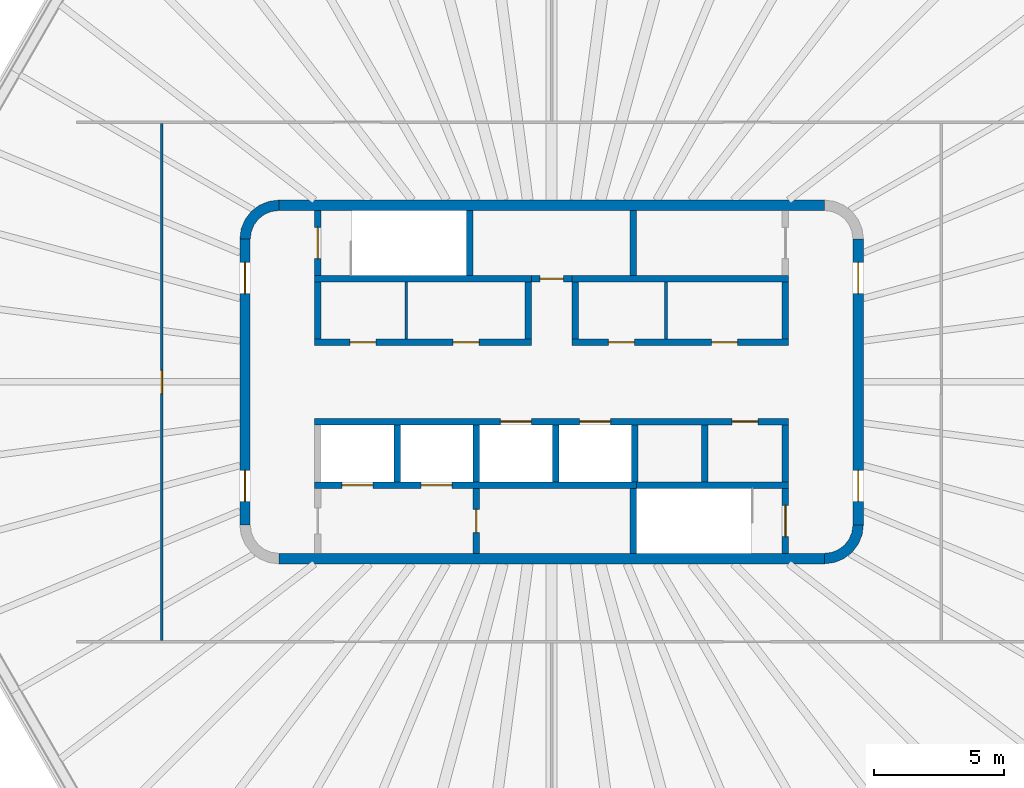
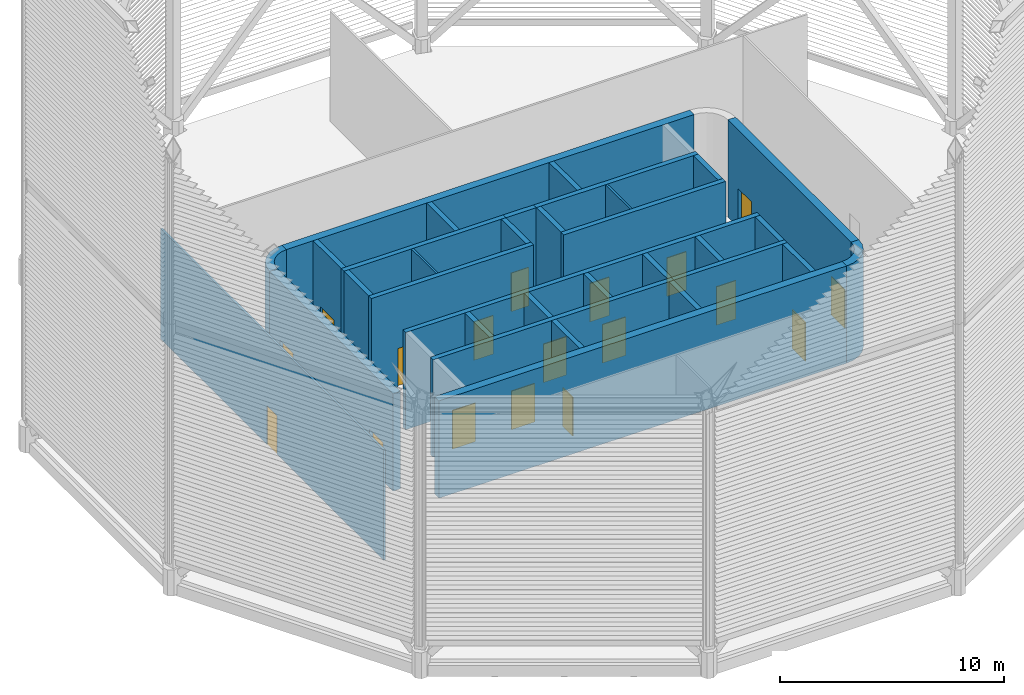
# One storey, part 5 of 18: 33 walls, 18 doors, 18 openings.
"""IFC4 building model written with IfcOpenShell, lengths in metres."""

from ifc_helpers import new_model, si_unit, direction, frame, frame_2d, origin, place, context, subcontext, project, spatial, polyline, rectangle, outline, extrude, material, layer, layer_set, type_object, element, fill, save


model = new_model("IFC4")

# Units and contexts
model_context = context("Model", 3, precision=1e-05, world=origin(), true_north=direction((0.0, 1.0)))
body_context = subcontext(model_context, "Body", "Model", "MODEL_VIEW")
ifc_project = project(units=[si_unit("LENGTHUNIT", "METRE"), si_unit("AREAUNIT", "SQUARE_METRE"), si_unit("VOLUMEUNIT", "CUBIC_METRE"), si_unit("PLANEANGLEUNIT", "RADIAN"), si_unit("MASSUNIT", "GRAM", prefix="KILO")], contexts=[model_context])

# Site, building, storey
site_placement = place(None, origin())
site = spatial("IfcSite", under=ifc_project, at=site_placement, CompositionType="ELEMENT")
building_placement = place(site_placement, origin())
building = spatial("IfcBuilding", under=site, at=building_placement, Name="Sahrelin Media Tower", CompositionType="ELEMENT")
storey_placement = place(building_placement, frame((0.0, 0.0, 335.800048828125)))
storey = spatial("IfcBuildingStorey", under=building, at=storey_placement, Name="Crown", CompositionType="ELEMENT", Elevation=335.800048828125)

# Walls
ifc_material_1 = material(Name="Concrete C60/75", Category="concrete")
ifc_layer_1 = layer(ifc_material_1, 0.39990234375)
ifc_layer_set_1 = layer_set([ifc_layer_1], Name="Core wall 400")
wall_type_1 = type_object("IfcWallType", Name="Core wall 400", PredefinedType="SHEAR", material=ifc_layer_set_1)
for number, where, z_axis, x_axis, name in (
    (1, (-10.5, 6.800048828125, 0.0), (0.0, 0.0, 1.0), (1.0, 0.0, 0.0), "Core wall N Crown"),
    (2, (-10.5, -6.800048828125, 0.0), (0.0, 0.0, 1.0), (1.0, 0.0, 0.0), "Core wall S Crown"),
):
    element("IfcWall", number, at=place(storey_placement, frame(where, z_axis=z_axis, x_axis=x_axis)), inside=storey, type_object=wall_type_1, Name=name, PredefinedType="SHEAR", context=body_context, shape_type="SweptSolid", body=[
        extrude(rectangle(XDim=21.0, YDim=0.39990234375, at=frame_2d((10.5, 0.0))), origin(), (0.0, 0.0, 1.0), 5.300048828125),
    ])

# Wall, openings, doors
wall_1_placement = place(storey_placement, frame((11.800048828125, -5.5, 0.0), z_axis=(0.0, 0.0, 1.0), x_axis=(0.0, 1.0, 0.0)))
wall_1 = element("IfcWall", 3, at=wall_1_placement, inside=storey, type_object=wall_type_1, Name="Core wall E Crown", PredefinedType="SHEAR", context=body_context, shape_type="SweptSolid", body=[
    extrude(rectangle(XDim=11.0, YDim=0.39990234375, at=frame_2d((5.5, 0.0))), origin(), (0.0, 0.0, 1.0), 5.300048828125),
])
opening_1_placement = place(wall_1_placement, frame((0.89990234375, 0.0, 0.0)))
opening_1 = element("IfcOpeningElement", 4, at=opening_1_placement, cuts=wall_1, Name="Opening Crown-D14", PredefinedType="OPENING", context=body_context, shape_type="SweptSolid", body=[
    extrude(rectangle(XDim=1.199951171875, YDim=2.10009765625, at=frame_2d((0.60009765625, 1.050048828125))), frame((0.0, 0.199951171875, 0.0), z_axis=(0.0, -1.0, 0.0), x_axis=(1.0, 0.0, 0.0)), (0.0, 0.0, 1.0), 0.39990234375),
])
opening_2_placement = place(wall_1_placement, frame((8.89990234375, 0.0, 0.0)))
opening_2 = element("IfcOpeningElement", 5, at=opening_2_placement, cuts=wall_1, Name="Opening Crown-D15", PredefinedType="OPENING", context=body_context, shape_type="SweptSolid", body=[
    extrude(rectangle(XDim=1.199951171875, YDim=2.10009765625, at=frame_2d((0.60009765625, 1.050048828125))), frame((0.0, 0.199951171875, 0.0), z_axis=(0.0, -1.0, 0.0), x_axis=(1.0, 0.0, 0.0)), (0.0, 0.0, 1.0), 0.39990234375),
])
ifc_material_2 = material(Name="Steel fire door leaf", Category="steel")
door_type_1 = type_object("IfcDoorType", Name="Lobby door 1200 x 2100 EI 60", OperationType="NOTDEFINED", PredefinedType="DOOR", material=ifc_material_2)
door_1_placement = place(opening_1_placement, origin())
door_1 = element("IfcDoor", 6, at=door_1_placement, inside=storey, type_object=door_type_1, Name="Lobby door", OperationType="SINGLE_SWING_LEFT", OverallHeight=2.10009765625, OverallWidth=1.199951171875, PredefinedType="DOOR", context=body_context, shape_type="SweptSolid", body=[
    extrude(rectangle(XDim=1.199951171875, YDim=2.10009765625, at=frame_2d((0.60009765625, 1.050048828125))), frame((0.0, 0.02490234375, 0.0), z_axis=(0.0, -1.0, 0.0), x_axis=(1.0, 0.0, 0.0)), (0.0, 0.0, 1.0), 0.050048828125),
])
fill(opening_1, door_1)
door_2_placement = place(opening_2_placement, origin())
door_2 = element("IfcDoor", 7, at=door_2_placement, inside=storey, type_object=door_type_1, Name="Lobby door", OperationType="SINGLE_SWING_LEFT", OverallHeight=2.10009765625, OverallWidth=1.199951171875, PredefinedType="DOOR", context=body_context, shape_type="SweptSolid", body=[
    extrude(rectangle(XDim=1.199951171875, YDim=2.10009765625, at=frame_2d((0.60009765625, 1.050048828125))), frame((0.0, 0.02490234375, 0.0), z_axis=(0.0, -1.0, 0.0), x_axis=(1.0, 0.0, 0.0)), (0.0, 0.0, 1.0), 0.050048828125),
])
fill(opening_2, door_2)

wall_2_placement = place(storey_placement, frame((-11.800048828125, -5.5, 0.0), z_axis=(0.0, 0.0, 1.0), x_axis=(0.0, 1.0, 0.0)))
wall_2 = element("IfcWall", 8, at=wall_2_placement, inside=storey, type_object=wall_type_1, Name="Core wall W Crown", PredefinedType="SHEAR", context=body_context, shape_type="SweptSolid", body=[
    extrude(rectangle(XDim=11.0, YDim=0.39990234375, at=frame_2d((5.5, 0.0))), origin(), (0.0, 0.0, 1.0), 5.300048828125),
])
opening_3_placement = place(wall_2_placement, frame((0.89990234375, 0.0, 0.0)))
opening_3 = element("IfcOpeningElement", 9, at=opening_3_placement, cuts=wall_2, Name="Opening Crown-D12", PredefinedType="OPENING", context=body_context, shape_type="SweptSolid", body=[
    extrude(rectangle(XDim=1.199951171875, YDim=2.10009765625, at=frame_2d((0.60009765625, 1.050048828125))), frame((0.0, 0.199951171875, 0.0), z_axis=(0.0, -1.0, 0.0), x_axis=(1.0, 0.0, 0.0)), (0.0, 0.0, 1.0), 0.39990234375),
])
opening_4_placement = place(wall_2_placement, frame((8.89990234375, 0.0, 0.0)))
opening_4 = element("IfcOpeningElement", 10, at=opening_4_placement, cuts=wall_2, Name="Opening Crown-D13", PredefinedType="OPENING", context=body_context, shape_type="SweptSolid", body=[
    extrude(rectangle(XDim=1.199951171875, YDim=2.10009765625, at=frame_2d((0.60009765625, 1.050048828125))), frame((0.0, 0.199951171875, 0.0), z_axis=(0.0, -1.0, 0.0), x_axis=(1.0, 0.0, 0.0)), (0.0, 0.0, 1.0), 0.39990234375),
])
door_3_placement = place(opening_3_placement, origin())
door_3 = element("IfcDoor", 11, at=door_3_placement, inside=storey, type_object=door_type_1, Name="Lobby door", OperationType="SINGLE_SWING_LEFT", OverallHeight=2.10009765625, OverallWidth=1.199951171875, PredefinedType="DOOR", context=body_context, shape_type="SweptSolid", body=[
    extrude(rectangle(XDim=1.199951171875, YDim=2.10009765625, at=frame_2d((0.60009765625, 1.050048828125))), frame((0.0, 0.02490234375, 0.0), z_axis=(0.0, -1.0, 0.0), x_axis=(1.0, 0.0, 0.0)), (0.0, 0.0, 1.0), 0.050048828125),
])
fill(opening_3, door_3)
door_4_placement = place(opening_4_placement, origin())
door_4 = element("IfcDoor", 12, at=door_4_placement, inside=storey, type_object=door_type_1, Name="Lobby door", OperationType="SINGLE_SWING_LEFT", OverallHeight=2.10009765625, OverallWidth=1.199951171875, PredefinedType="DOOR", context=body_context, shape_type="SweptSolid", body=[
    extrude(rectangle(XDim=1.199951171875, YDim=2.10009765625, at=frame_2d((0.60009765625, 1.050048828125))), frame((0.0, 0.02490234375, 0.0), z_axis=(0.0, -1.0, 0.0), x_axis=(1.0, 0.0, 0.0)), (0.0, 0.0, 1.0), 0.050048828125),
])
fill(opening_4, door_4)

# Walls
placement = place(storey_placement, origin())
element("IfcWall", 13, at=placement, inside=storey, type_object=wall_type_1, Name="Core wall corner NW Crown", PredefinedType="SHEAR", context=body_context, shape_type="SweptSolid", body=[
    extrude(outline(polyline([(-12.0, 5.5), (-11.596435546875, 5.5), (-11.55908203125, 5.78369140625), (-11.44970703125, 6.04833984375), (-11.275390625, 6.275390625), (-11.04833984375, 6.44970703125), (-10.78369140625, 6.55908203125), (-10.5, 6.596435546875), (-10.5, 7.0), (-10.88818359375, 6.948974609375), (-11.25, 6.799072265625), (-11.560791015625, 6.560791015625), (-11.799072265625, 6.25), (-11.948974609375, 5.88818359375), (-12.0, 5.5)])), origin(), (0.0, 0.0, 1.0), 5.300048828125),
])
element("IfcWall", 14, at=placement, inside=storey, type_object=wall_type_1, Name="Core wall corner SE Crown", PredefinedType="SHEAR", context=body_context, shape_type="SweptSolid", body=[
    extrude(outline(polyline([(12.0, -5.5), (11.596435546875, -5.5), (11.55908203125, -5.78369140625), (11.44970703125, -6.04833984375), (11.275390625, -6.275390625), (11.04833984375, -6.44970703125), (10.78369140625, -6.55908203125), (10.5, -6.596435546875), (10.5, -7.0), (10.88818359375, -6.948974609375), (11.25, -6.799072265625), (11.560791015625, -6.560791015625), (11.799072265625, -6.25), (11.948974609375, -5.88818359375), (12.0, -5.5)])), origin(), (0.0, 0.0, 1.0), 5.300048828125),
])

# Wall, opening, door
ifc_material_3 = material(Name="Fire-rated gypsum board partition")
ifc_layer_2 = layer(ifc_material_3, 0.25)
ifc_layer_set_2 = layer_set([ifc_layer_2], Name="Fire-rated lobby wall 250")
wall_type_2 = type_object("IfcWallType", Name="Fire-rated lobby wall 250", PredefinedType="PARTITIONING", material=ifc_layer_set_2)
wall_5_placement = place(storey_placement, frame((-0.77490234375, 3.97509765625, 0.0), z_axis=(0.0, 0.0, 1.0), x_axis=(1.0, 0.0, 0.0)))
wall_5 = element("IfcWall", 15, at=wall_5_placement, inside=storey, type_object=wall_type_2, Name="Core lobby wall", PredefinedType="PARTITIONING", context=body_context, shape_type="SweptSolid", body=[
    extrude(rectangle(XDim=1.5498046875, YDim=0.25, at=frame_2d((0.77490234375, 0.0))), origin(), (0.0, 0.0, 1.0), 5.300048828125),
])
opening_5_placement = place(wall_5_placement, frame((0.324951171875, 0.0, 0.0)))
opening_5 = element("IfcOpeningElement", 16, at=opening_5_placement, cuts=wall_5, Name="Opening Crown-D06", PredefinedType="OPENING", context=body_context, shape_type="SweptSolid", body=[
    extrude(rectangle(XDim=0.89990234375, YDim=2.10009765625, at=frame_2d((0.449951171875, 1.050048828125))), frame((0.0, 0.125, 0.0), z_axis=(0.0, -1.0, 0.0), x_axis=(1.0, 0.0, 0.0)), (0.0, 0.0, 1.0), 0.25),
])
door_type_2 = type_object("IfcDoorType", Name="Riser door 900 x 2100 EI 120", OperationType="NOTDEFINED", PredefinedType="DOOR", material=ifc_material_2)
door_5_placement = place(opening_5_placement, origin())
door_5 = element("IfcDoor", 17, at=door_5_placement, inside=storey, type_object=door_type_2, Name="Core room door", OperationType="SINGLE_SWING_LEFT", OverallHeight=2.10009765625, OverallWidth=0.89990234375, PredefinedType="DOOR", context=body_context, shape_type="SweptSolid", body=[
    extrude(rectangle(XDim=0.89990234375, YDim=2.10009765625, at=frame_2d((0.449951171875, 1.050048828125))), frame((0.0, 0.02490234375, 0.0), z_axis=(0.0, -1.0, 0.0), x_axis=(1.0, 0.0, 0.0)), (0.0, 0.0, 1.0), 0.050048828125),
])
fill(opening_5, door_5)

# Wall, openings, doors
wall_6_placement = place(storey_placement, frame((-9.125, 1.52490234375, 0.0), z_axis=(0.0, 0.0, 1.0), x_axis=(1.0, 0.0, 0.0)))
wall_6 = element("IfcWall", 18, at=wall_6_placement, inside=storey, type_object=wall_type_2, Name="Core lobby wall", PredefinedType="PARTITIONING", context=body_context, shape_type="SweptSolid", body=[
    extrude(rectangle(XDim=8.35009765625, YDim=0.25, at=frame_2d((4.175048828125, 0.0))), origin(), (0.0, 0.0, 1.0), 5.300048828125),
])
opening_6_placement = place(wall_6_placement, frame((1.362548828125, 0.0, 0.0)))
opening_6 = element("IfcOpeningElement", 19, at=opening_6_placement, cuts=wall_6, Name="Opening Crown-D07", PredefinedType="OPENING", context=body_context, shape_type="SweptSolid", body=[
    extrude(rectangle(XDim=1.0, YDim=2.10009765625, at=frame_2d((0.5, 1.050048828125))), frame((0.0, 0.125, 0.0), z_axis=(0.0, -1.0, 0.0), x_axis=(1.0, 0.0, 0.0)), (0.0, 0.0, 1.0), 0.25),
])
opening_7_placement = place(wall_6_placement, frame((5.33740234375, 0.0, 0.0)))
opening_7 = element("IfcOpeningElement", 20, at=opening_7_placement, cuts=wall_6, Name="Opening Crown-D08", PredefinedType="OPENING", context=body_context, shape_type="SweptSolid", body=[
    extrude(rectangle(XDim=1.0, YDim=2.10009765625, at=frame_2d((0.5, 1.050048828125))), frame((0.0, 0.125, 0.0), z_axis=(0.0, -1.0, 0.0), x_axis=(1.0, 0.0, 0.0)), (0.0, 0.0, 1.0), 0.25),
])
door_type_3 = type_object("IfcDoorType", Name="Fire door 1000 x 2100 EI 60", OperationType="NOTDEFINED", PredefinedType="DOOR", material=ifc_material_2)
door_6_placement = place(opening_6_placement, origin())
door_6 = element("IfcDoor", 21, at=door_6_placement, inside=storey, type_object=door_type_3, Name="Core room door", OperationType="SINGLE_SWING_LEFT", OverallHeight=2.10009765625, OverallWidth=1.0, PredefinedType="DOOR", context=body_context, shape_type="SweptSolid", body=[
    extrude(rectangle(XDim=1.0, YDim=2.10009765625, at=frame_2d((0.5, 1.050048828125))), frame((0.0, 0.02490234375, 0.0), z_axis=(0.0, -1.0, 0.0), x_axis=(1.0, 0.0, 0.0)), (0.0, 0.0, 1.0), 0.050048828125),
])
fill(opening_6, door_6)
door_7_placement = place(opening_7_placement, origin())
door_7 = element("IfcDoor", 22, at=door_7_placement, inside=storey, type_object=door_type_3, Name="Core room door", OperationType="SINGLE_SWING_LEFT", OverallHeight=2.10009765625, OverallWidth=1.0, PredefinedType="DOOR", context=body_context, shape_type="SweptSolid", body=[
    extrude(rectangle(XDim=1.0, YDim=2.10009765625, at=frame_2d((0.5, 1.050048828125))), frame((0.0, 0.02490234375, 0.0), z_axis=(0.0, -1.0, 0.0), x_axis=(1.0, 0.0, 0.0)), (0.0, 0.0, 1.0), 0.050048828125),
])
fill(opening_7, door_7)

wall_7_placement = place(storey_placement, frame((0.77490234375, 1.52490234375, 0.0), z_axis=(0.0, 0.0, 1.0), x_axis=(1.0, 0.0, 0.0)))
wall_7 = element("IfcWall", 23, at=wall_7_placement, inside=storey, type_object=wall_type_2, Name="Core lobby wall", PredefinedType="PARTITIONING", context=body_context, shape_type="SweptSolid", body=[
    extrude(rectangle(XDim=8.35009765625, YDim=0.25, at=frame_2d((4.175048828125, 0.0))), origin(), (0.0, 0.0, 1.0), 5.300048828125),
])
opening_8_placement = place(wall_7_placement, frame((1.41259765625, 0.0, 0.0)))
opening_8 = element("IfcOpeningElement", 24, at=opening_8_placement, cuts=wall_7, Name="Opening Crown-D09", PredefinedType="OPENING", context=body_context, shape_type="SweptSolid", body=[
    extrude(rectangle(XDim=1.0, YDim=2.10009765625, at=frame_2d((0.5, 1.050048828125))), frame((0.0, 0.125, 0.0), z_axis=(0.0, -1.0, 0.0), x_axis=(1.0, 0.0, 0.0)), (0.0, 0.0, 1.0), 0.25),
])
opening_9_placement = place(wall_7_placement, frame((5.387451171875, 0.0, 0.0)))
opening_9 = element("IfcOpeningElement", 25, at=opening_9_placement, cuts=wall_7, Name="Opening Crown-D10", PredefinedType="OPENING", context=body_context, shape_type="SweptSolid", body=[
    extrude(rectangle(XDim=1.0, YDim=2.10009765625, at=frame_2d((0.5, 1.050048828125))), frame((0.0, 0.125, 0.0), z_axis=(0.0, -1.0, 0.0), x_axis=(1.0, 0.0, 0.0)), (0.0, 0.0, 1.0), 0.25),
])
door_8_placement = place(opening_8_placement, origin())
door_8 = element("IfcDoor", 26, at=door_8_placement, inside=storey, type_object=door_type_3, Name="Core room door", OperationType="SINGLE_SWING_LEFT", OverallHeight=2.10009765625, OverallWidth=1.0, PredefinedType="DOOR", context=body_context, shape_type="SweptSolid", body=[
    extrude(rectangle(XDim=1.0, YDim=2.10009765625, at=frame_2d((0.5, 1.050048828125))), frame((0.0, 0.02490234375, 0.0), z_axis=(0.0, -1.0, 0.0), x_axis=(1.0, 0.0, 0.0)), (0.0, 0.0, 1.0), 0.050048828125),
])
fill(opening_8, door_8)
door_9_placement = place(opening_9_placement, origin())
door_9 = element("IfcDoor", 27, at=door_9_placement, inside=storey, type_object=door_type_3, Name="Core room door", OperationType="SINGLE_SWING_LEFT", OverallHeight=2.10009765625, OverallWidth=1.0, PredefinedType="DOOR", context=body_context, shape_type="SweptSolid", body=[
    extrude(rectangle(XDim=1.0, YDim=2.10009765625, at=frame_2d((0.5, 1.050048828125))), frame((0.0, 0.02490234375, 0.0), z_axis=(0.0, -1.0, 0.0), x_axis=(1.0, 0.0, 0.0)), (0.0, 0.0, 1.0), 0.050048828125),
])
fill(opening_9, door_9)

# Walls
for number, where, z_axis, x_axis, name in (
    (28, (-9.0, 1.64990234375, 0.0), (0.0, 0.0, 1.0), (0.0, 1.0, 0.0), "Core lobby wall"),
    (29, (-0.89990234375, 1.64990234375, 0.0), (0.0, 0.0, 1.0), (0.0, 1.0, 0.0), "Core lobby wall"),
    (30, (9.0, 1.64990234375, 0.0), (0.0, 0.0, 1.0), (0.0, 1.0, 0.0), "Core lobby wall"),
    (31, (0.89990234375, 1.64990234375, 0.0), (0.0, 0.0, 1.0), (0.0, 1.0, 0.0), "Core lobby wall"),
):
    element("IfcWall", number, at=place(storey_placement, frame(where, z_axis=z_axis, x_axis=x_axis)), inside=storey, type_object=wall_type_2, Name=name, PredefinedType="PARTITIONING", context=body_context, shape_type="SweptSolid", body=[
        extrude(rectangle(XDim=2.2001953125, YDim=0.25, at=frame_2d((1.10009765625, 0.0))), origin(), (0.0, 0.0, 1.0), 5.300048828125),
    ])
ifc_layer_3 = layer(ifc_material_3, 0.10009765625)
ifc_layer_set_3 = layer_set([ifc_layer_3], Name="Fire-rated partition 100")
wall_type_3 = type_object("IfcWallType", Name="Fire-rated partition 100", PredefinedType="PARTITIONING", material=ifc_layer_set_3)
for number, where, z_axis, x_axis, name in (
    (32, (-5.60009765625, 1.64990234375, 0.0), (0.0, 0.0, 1.0), (0.0, 1.0, 0.0), "Core room partition"),
    (33, (4.39990234375, 1.64990234375, 0.0), (0.0, 0.0, 1.0), (0.0, 1.0, 0.0), "Core room partition"),
):
    element("IfcWall", number, at=place(storey_placement, frame(where, z_axis=z_axis, x_axis=x_axis)), inside=storey, type_object=wall_type_3, Name=name, PredefinedType="PARTITIONING", context=body_context, shape_type="SweptSolid", body=[
        extrude(rectangle(XDim=2.2001953125, YDim=0.10009765625, at=frame_2d((1.10009765625, 0.0))), origin(), (0.0, 0.0, 1.0), 5.300048828125),
    ])

# Wall, opening, door
ifc_layer_4 = layer(ifc_material_3, 0.25)
ifc_layer_set_4 = layer_set([ifc_layer_4], Name="Firefighting lobby wall 250")
wall_type_4 = type_object("IfcWallType", Name="Firefighting lobby wall 250", PredefinedType="PARTITIONING", material=ifc_layer_set_4)
wall_8_placement = place(storey_placement, frame((-2.89990234375, -6.60009765625, 0.0), z_axis=(0.0, 0.0, 1.0), x_axis=(0.0, 1.0, 0.0)))
wall_8 = element("IfcWall", 34, at=wall_8_placement, inside=storey, type_object=wall_type_4, Name="Core wall", PredefinedType="PARTITIONING", context=body_context, shape_type="SweptSolid", body=[
    extrude(rectangle(XDim=2.5, YDim=0.25, at=frame_2d((1.25, 0.0))), origin(), (0.0, 0.0, 1.0), 5.300048828125),
])
opening_10_placement = place(wall_8_placement, frame((0.800048828125, 0.0, 0.0)))
opening_10 = element("IfcOpeningElement", 35, at=opening_10_placement, cuts=wall_8, Name="Opening Crown-D05", PredefinedType="OPENING", context=body_context, shape_type="SweptSolid", body=[
    extrude(rectangle(XDim=0.89990234375, YDim=2.10009765625, at=frame_2d((0.449951171875, 1.050048828125))), frame((0.0, 0.125, 0.0), z_axis=(0.0, -1.0, 0.0), x_axis=(1.0, 0.0, 0.0)), (0.0, 0.0, 1.0), 0.25),
])
door_type_4 = type_object("IfcDoorType", Name="Firefighting lobby door 900 x 2100 EI 120", OperationType="NOTDEFINED", PredefinedType="DOOR", material=ifc_material_2)
door_10_placement = place(opening_10_placement, origin())
door_10 = element("IfcDoor", 36, at=door_10_placement, inside=storey, type_object=door_type_4, Name="Riser door", OperationType="SINGLE_SWING_RIGHT", OverallHeight=2.10009765625, OverallWidth=0.89990234375, PredefinedType="DOOR", context=body_context, shape_type="SweptSolid", body=[
    extrude(rectangle(XDim=0.89990234375, YDim=2.10009765625, at=frame_2d((0.449951171875, 1.050048828125))), frame((0.0, 0.02490234375, 0.0), z_axis=(0.0, -1.0, 0.0), x_axis=(1.0, 0.0, 0.0)), (0.0, 0.0, 1.0), 0.050048828125),
])
fill(opening_10, door_10)

# Wall, openings, doors
ifc_layer_5 = layer(ifc_material_1, 0.25)
ifc_layer_set_5 = layer_set([ifc_layer_5], Name="Lift shaft wall 250")
wall_type_5 = type_object("IfcWallType", Name="Lift shaft wall 250", PredefinedType="SOLIDWALL", material=ifc_layer_set_5)
wall_9_placement = place(storey_placement, frame((-9.125, -1.52490234375, 0.0), z_axis=(0.0, 0.0, 1.0), x_axis=(1.0, 0.0, 0.0)))
wall_9 = element("IfcWall", 37, at=wall_9_placement, inside=storey, type_object=wall_type_5, Name="Lift shaft wall", PredefinedType="SOLIDWALL", context=body_context, shape_type="SweptSolid", body=[
    extrude(rectangle(XDim=18.25, YDim=0.25, at=frame_2d((9.125, 0.0))), origin(), (0.0, 0.0, 1.0), 5.300048828125),
])
opening_11_placement = place(wall_9_placement, frame((7.14990234375, 0.0, 0.0)))
opening_11 = element("IfcOpeningElement", 38, at=opening_11_placement, cuts=wall_9, Name="Opening Crown-LD-SV1", PredefinedType="OPENING", context=body_context, shape_type="SweptSolid", body=[
    extrude(rectangle(XDim=1.199951171875, YDim=2.10009765625, at=frame_2d((0.60009765625, 1.050048828125))), frame((0.0, 0.125, 0.0), z_axis=(0.0, -1.0, 0.0), x_axis=(1.0, 0.0, 0.0)), (0.0, 0.0, 1.0), 0.25),
])
opening_12_placement = place(wall_9_placement, frame((10.199951171875, 0.0, 0.0)))
opening_12 = element("IfcOpeningElement", 39, at=opening_12_placement, cuts=wall_9, Name="Opening Crown-LD-SV2", PredefinedType="OPENING", context=body_context, shape_type="SweptSolid", body=[
    extrude(rectangle(XDim=1.199951171875, YDim=2.10009765625, at=frame_2d((0.60009765625, 1.050048828125))), frame((0.0, 0.125, 0.0), z_axis=(0.0, -1.0, 0.0), x_axis=(1.0, 0.0, 0.0)), (0.0, 0.0, 1.0), 0.25),
])
opening_13_placement = place(wall_9_placement, frame((16.074951171875, 0.0, 0.0)))
opening_13 = element("IfcOpeningElement", 40, at=opening_13_placement, cuts=wall_9, Name="Opening Crown-D11", PredefinedType="OPENING", context=body_context, shape_type="SweptSolid", body=[
    extrude(rectangle(XDim=1.0, YDim=2.10009765625, at=frame_2d((0.5, 1.050048828125))), frame((0.0, 0.125, 0.0), z_axis=(0.0, -1.0, 0.0), x_axis=(1.0, 0.0, 0.0)), (0.0, 0.0, 1.0), 0.25),
])
door_11_placement = place(opening_13_placement, origin())
door_11 = element("IfcDoor", 41, at=door_11_placement, inside=storey, type_object=door_type_3, Name="Core room door", OperationType="SINGLE_SWING_RIGHT", OverallHeight=2.10009765625, OverallWidth=1.0, PredefinedType="DOOR", context=body_context, shape_type="SweptSolid", body=[
    extrude(rectangle(XDim=1.0, YDim=2.10009765625, at=frame_2d((0.5, 1.050048828125))), frame((0.0, 0.02490234375, 0.0), z_axis=(0.0, -1.0, 0.0), x_axis=(1.0, 0.0, 0.0)), (0.0, 0.0, 1.0), 0.050048828125),
])
fill(opening_13, door_11)
ifc_material_4 = material(Name="Stainless steel", Category="steel")
door_type_5 = type_object("IfcDoorType", Name="Lift landing door 1200 x 2100 EI 120", OperationType="DOUBLE_DOOR_SLIDING", PredefinedType="DOOR", material=ifc_material_4)
door_12_placement = place(opening_11_placement, origin())
door_12 = element("IfcDoor", 42, at=door_12_placement, inside=storey, type_object=door_type_5, Name="Lift landing door SV1", OperationType="DOUBLE_DOOR_SLIDING", OverallHeight=2.10009765625, OverallWidth=1.199951171875, PredefinedType="DOOR", context=body_context, shape_type="SweptSolid", body=[
    extrude(rectangle(XDim=1.199951171875, YDim=2.10009765625, at=frame_2d((0.60009765625, 1.050048828125))), frame((0.0, 0.02490234375, 0.0), z_axis=(0.0, -1.0, 0.0), x_axis=(1.0, 0.0, 0.0)), (0.0, 0.0, 1.0), 0.050048828125),
])
fill(opening_11, door_12)
door_13_placement = place(opening_12_placement, origin())
door_13 = element("IfcDoor", 43, at=door_13_placement, inside=storey, type_object=door_type_5, Name="Lift landing door SV2", OperationType="DOUBLE_DOOR_SLIDING", OverallHeight=2.10009765625, OverallWidth=1.199951171875, PredefinedType="DOOR", context=body_context, shape_type="SweptSolid", body=[
    extrude(rectangle(XDim=1.199951171875, YDim=2.10009765625, at=frame_2d((0.60009765625, 1.050048828125))), frame((0.0, 0.02490234375, 0.0), z_axis=(0.0, -1.0, 0.0), x_axis=(1.0, 0.0, 0.0)), (0.0, 0.0, 1.0), 0.050048828125),
])
fill(opening_12, door_13)

wall_10_placement = place(storey_placement, frame((-9.125, -3.97509765625, 0.0), z_axis=(0.0, 0.0, 1.0), x_axis=(1.0, 0.0, 0.0)))
wall_10 = element("IfcWall", 44, at=wall_10_placement, inside=storey, type_object=wall_type_5, Name="Lift shaft wall", PredefinedType="SOLIDWALL", context=body_context, shape_type="SweptSolid", body=[
    extrude(rectangle(XDim=12.39990234375, YDim=0.25, at=frame_2d((6.199951171875, 0.0))), origin(), (0.0, 0.0, 1.0), 5.300048828125),
])
opening_14_placement = place(wall_10_placement, frame((1.050048828125, 0.0, 0.0)))
opening_14 = element("IfcOpeningElement", 45, at=opening_14_placement, cuts=wall_10, Name="Opening Crown-LD-FF1", PredefinedType="OPENING", context=body_context, shape_type="SweptSolid", body=[
    extrude(rectangle(XDim=1.199951171875, YDim=2.10009765625, at=frame_2d((0.60009765625, 1.050048828125))), frame((0.0, 0.125, 0.0), z_axis=(0.0, -1.0, 0.0), x_axis=(1.0, 0.0, 0.0)), (0.0, 0.0, 1.0), 0.25),
])
opening_15_placement = place(wall_10_placement, frame((4.10009765625, 0.0, 0.0)))
opening_15 = element("IfcOpeningElement", 46, at=opening_15_placement, cuts=wall_10, Name="Opening Crown-LD-FF2", PredefinedType="OPENING", context=body_context, shape_type="SweptSolid", body=[
    extrude(rectangle(XDim=1.199951171875, YDim=2.10009765625, at=frame_2d((0.60009765625, 1.050048828125))), frame((0.0, 0.125, 0.0), z_axis=(0.0, -1.0, 0.0), x_axis=(1.0, 0.0, 0.0)), (0.0, 0.0, 1.0), 0.25),
])
door_14_placement = place(opening_14_placement, origin())
door_14 = element("IfcDoor", 47, at=door_14_placement, inside=storey, type_object=door_type_5, Name="Lift landing door FF1", OperationType="DOUBLE_DOOR_SLIDING", OverallHeight=2.10009765625, OverallWidth=1.199951171875, PredefinedType="DOOR", context=body_context, shape_type="SweptSolid", body=[
    extrude(rectangle(XDim=1.199951171875, YDim=2.10009765625, at=frame_2d((0.60009765625, 1.050048828125))), frame((0.0, 0.02490234375, 0.0), z_axis=(0.0, -1.0, 0.0), x_axis=(1.0, 0.0, 0.0)), (0.0, 0.0, 1.0), 0.050048828125),
])
fill(opening_14, door_14)
door_15_placement = place(opening_15_placement, origin())
door_15 = element("IfcDoor", 48, at=door_15_placement, inside=storey, type_object=door_type_5, Name="Lift landing door FF2", OperationType="DOUBLE_DOOR_SLIDING", OverallHeight=2.10009765625, OverallWidth=1.199951171875, PredefinedType="DOOR", context=body_context, shape_type="SweptSolid", body=[
    extrude(rectangle(XDim=1.199951171875, YDim=2.10009765625, at=frame_2d((0.60009765625, 1.050048828125))), frame((0.0, 0.02490234375, 0.0), z_axis=(0.0, -1.0, 0.0), x_axis=(1.0, 0.0, 0.0)), (0.0, 0.0, 1.0), 0.050048828125),
])
fill(opening_15, door_15)

# Walls
wall_11_placement = place(storey_placement, frame((3.27490234375, -3.97509765625, 0.0), z_axis=(0.0, 0.0, 1.0), x_axis=(1.0, 0.0, 0.0)))
element("IfcWall", 49, at=wall_11_placement, inside=storey, type_object=wall_type_5, Name="Lift shaft wall", PredefinedType="SOLIDWALL", context=body_context, shape_type="SweptSolid", body=[
    extrude(rectangle(XDim=5.85009765625, YDim=0.25, at=frame_2d((2.925048828125, 0.0))), origin(), (0.0, 0.0, 1.0), 5.300048828125),
])
for number, where, z_axis, x_axis, name in (
    (50, (-5.949951171875, -3.85009765625, 0.0), (0.0, 0.0, 1.0), (0.0, 1.0, 0.0), "Lift shaft wall"),
    (51, (-2.89990234375, -3.85009765625, 0.0), (0.0, 0.0, 1.0), (0.0, 1.0, 0.0), "Lift shaft wall"),
    (52, (0.14990234375, -3.85009765625, 0.0), (0.0, 0.0, 1.0), (0.0, 1.0, 0.0), "Lift shaft wall"),
    (53, (3.199951171875, -3.85009765625, 0.0), (0.0, 0.0, 1.0), (0.0, 1.0, 0.0), "Lift shaft wall"),
    (54, (5.89990234375, -3.85009765625, 0.0), (0.0, 0.0, 1.0), (0.0, 1.0, 0.0), "Lift shaft wall"),
    (55, (9.0, -3.85009765625, 0.0), (0.0, 0.0, 1.0), (0.0, 1.0, 0.0), "Lift shaft wall"),
):
    element("IfcWall", number, at=place(storey_placement, frame(where, z_axis=z_axis, x_axis=x_axis)), inside=storey, type_object=wall_type_5, Name=name, PredefinedType="SOLIDWALL", context=body_context, shape_type="SweptSolid", body=[
        extrude(rectangle(XDim=2.2001953125, YDim=0.25, at=frame_2d((1.10009765625, 0.0))), origin(), (0.0, 0.0, 1.0), 5.300048828125),
    ])

# Wall, opening, door
ifc_material_5 = material(Name="Gypsum board partition")
ifc_layer_6 = layer(ifc_material_5, 0.10009765625)
ifc_layer_set_6 = layer_set([ifc_layer_6], Name="Partition 100")
wall_type_6 = type_object("IfcWallType", Name="Partition 100", PredefinedType="PARTITIONING", material=ifc_layer_set_6)
wall_12_placement = place(storey_placement, frame((-15.0, -9.949951171875, 0.0), z_axis=(0.0, 0.0, 1.0), x_axis=(0.0, 1.0, 0.0)))
wall_12 = element("IfcWall", 56, at=wall_12_placement, inside=storey, type_object=wall_type_6, Name="Wall", PredefinedType="PARTITIONING", context=body_context, shape_type="SweptSolid", body=[
    extrude(rectangle(XDim=19.89990234375, YDim=0.10009765625, at=frame_2d((9.949951171875, 0.0))), origin(), (0.0, 0.0, 1.0), 6.0),
])
opening_16_placement = place(wall_12_placement, frame((9.5, 0.0, 0.0)))
opening_16 = element("IfcOpeningElement", 57, at=opening_16_placement, cuts=wall_12, Name="Opening Crown-D21", PredefinedType="OPENING", context=body_context, shape_type="SweptSolid", body=[
    extrude(rectangle(XDim=0.89990234375, YDim=2.10009765625, at=frame_2d((0.449951171875, 1.050048828125))), frame((0.0, 0.050048828125, 0.0), z_axis=(0.0, -1.0, 0.0), x_axis=(1.0, 0.0, 0.0)), (0.0, 0.0, 1.0), 0.10009765625),
])
ifc_material_6 = material(Name="Timber door leaf", Category="wood")
door_type_6 = type_object("IfcDoorType", Name="Single door 900 x 2100", OperationType="NOTDEFINED", PredefinedType="DOOR", material=ifc_material_6)
door_16_placement = place(opening_16_placement, origin())
door_16 = element("IfcDoor", 58, at=door_16_placement, inside=storey, type_object=door_type_6, Name="Single door", OperationType="SINGLE_SWING_RIGHT", OverallHeight=2.10009765625, OverallWidth=0.89990234375, PredefinedType="DOOR", context=body_context, shape_type="SweptSolid", body=[
    extrude(rectangle(XDim=0.89990234375, YDim=2.10009765625, at=frame_2d((0.449951171875, 1.050048828125))), frame((0.0, 0.02490234375, 0.0), z_axis=(0.0, -1.0, 0.0), x_axis=(1.0, 0.0, 0.0)), (0.0, 0.0, 1.0), 0.050048828125),
])
fill(opening_16, door_16)

ifc_layer_7 = layer(ifc_material_1, 0.25)
ifc_layer_set_7 = layer_set([ifc_layer_7], Name="Stair enclosure wall 250")
wall_type_7 = type_object("IfcWallType", Name="Stair enclosure wall 250", PredefinedType="SOLIDWALL", material=ifc_layer_set_7)
wall_13_placement = place(storey_placement, frame((-9.0, 4.10009765625, 0.0), z_axis=(0.0, 0.0, 1.0), x_axis=(0.0, 1.0, 0.0)))
wall_13 = element("IfcWall", 59, at=wall_13_placement, inside=storey, type_object=wall_type_7, Name="Stair enclosure wall", PredefinedType="SOLIDWALL", context=body_context, shape_type="SweptSolid", body=[
    extrude(rectangle(XDim=2.5, YDim=0.25, at=frame_2d((1.25, 0.0))), origin(), (0.0, 0.0, 1.0), 5.300048828125),
])
opening_17_placement = place(wall_13_placement, frame((0.64990234375, 0.0, 0.0)))
opening_17 = element("IfcOpeningElement", 60, at=opening_17_placement, cuts=wall_13, Name="Opening Crown-D01", PredefinedType="OPENING", context=body_context, shape_type="SweptSolid", body=[
    extrude(rectangle(XDim=1.199951171875, YDim=2.10009765625, at=frame_2d((0.60009765625, 1.050048828125))), frame((0.0, 0.125, 0.0), z_axis=(0.0, -1.0, 0.0), x_axis=(1.0, 0.0, 0.0)), (0.0, 0.0, 1.0), 0.25),
])
door_type_7 = type_object("IfcDoorType", Name="Stair door 1200 x 2100 EI 120", OperationType="NOTDEFINED", PredefinedType="DOOR", material=ifc_material_2)
door_17_placement = place(opening_17_placement, origin())
door_17 = element("IfcDoor", 61, at=door_17_placement, inside=storey, type_object=door_type_7, Name="Stair door ST1", OperationType="SINGLE_SWING_RIGHT", OverallHeight=2.10009765625, OverallWidth=1.199951171875, PredefinedType="DOOR", context=body_context, shape_type="SweptSolid", body=[
    extrude(rectangle(XDim=1.199951171875, YDim=2.10009765625, at=frame_2d((0.60009765625, 1.050048828125))), frame((0.0, 0.02490234375, 0.0), z_axis=(0.0, -1.0, 0.0), x_axis=(1.0, 0.0, 0.0)), (0.0, 0.0, 1.0), 0.050048828125),
])
fill(opening_17, door_17)

wall_14_placement = place(storey_placement, frame((9.0, -6.60009765625, 0.0), z_axis=(0.0, 0.0, 1.0), x_axis=(0.0, 1.0, 0.0)))
wall_14 = element("IfcWall", 62, at=wall_14_placement, inside=storey, type_object=wall_type_7, Name="Stair enclosure wall", PredefinedType="SOLIDWALL", context=body_context, shape_type="SweptSolid", body=[
    extrude(rectangle(XDim=2.5, YDim=0.25, at=frame_2d((1.25, 0.0))), origin(), (0.0, 0.0, 1.0), 5.300048828125),
])
opening_18_placement = place(wall_14_placement, frame((0.64990234375, 0.0, 0.0)))
opening_18 = element("IfcOpeningElement", 63, at=opening_18_placement, cuts=wall_14, Name="Opening Crown-D03", PredefinedType="OPENING", context=body_context, shape_type="SweptSolid", body=[
    extrude(rectangle(XDim=1.199951171875, YDim=2.10009765625, at=frame_2d((0.60009765625, 1.050048828125))), frame((0.0, 0.125, 0.0), z_axis=(0.0, -1.0, 0.0), x_axis=(1.0, 0.0, 0.0)), (0.0, 0.0, 1.0), 0.25),
])
door_18_placement = place(opening_18_placement, origin())
door_18 = element("IfcDoor", 64, at=door_18_placement, inside=storey, type_object=door_type_7, Name="Stair door ST2", OperationType="SINGLE_SWING_LEFT", OverallHeight=2.10009765625, OverallWidth=1.199951171875, PredefinedType="DOOR", context=body_context, shape_type="SweptSolid", body=[
    extrude(rectangle(XDim=1.199951171875, YDim=2.10009765625, at=frame_2d((0.60009765625, 1.050048828125))), frame((0.0, 0.02490234375, 0.0), z_axis=(0.0, -1.0, 0.0), x_axis=(1.0, 0.0, 0.0)), (0.0, 0.0, 1.0), 0.050048828125),
])
fill(opening_18, door_18)

# Walls
for number, where, z_axis, x_axis, name in (
    (65, (-3.14990234375, 4.10009765625, 0.0), (0.0, 0.0, 1.0), (0.0, 1.0, 0.0), "Stair enclosure wall"),
    (66, (3.14990234375, 4.10009765625, 0.0), (0.0, 0.0, 1.0), (0.0, 1.0, 0.0), "Stair enclosure wall"),
    (67, (3.14990234375, -6.60009765625, 0.0), (0.0, 0.0, 1.0), (0.0, 1.0, 0.0), "Stair enclosure wall"),
):
    element("IfcWall", number, at=place(storey_placement, frame(where, z_axis=z_axis, x_axis=x_axis)), inside=storey, type_object=wall_type_7, Name=name, PredefinedType="SOLIDWALL", context=body_context, shape_type="SweptSolid", body=[
        extrude(rectangle(XDim=2.5, YDim=0.25, at=frame_2d((1.25, 0.0))), origin(), (0.0, 0.0, 1.0), 5.300048828125),
    ])
for number, where, z_axis, x_axis, name in (
    (68, (-9.125, 3.97509765625, 0.0), (0.0, 0.0, 1.0), (1.0, 0.0, 0.0), "Stair enclosure wall"),
    (69, (0.77490234375, 3.97509765625, 0.0), (0.0, 0.0, 1.0), (1.0, 0.0, 0.0), "Stair enclosure wall"),
):
    element("IfcWall", number, at=place(storey_placement, frame(where, z_axis=z_axis, x_axis=x_axis)), inside=storey, type_object=wall_type_7, Name=name, PredefinedType="SOLIDWALL", context=body_context, shape_type="SweptSolid", body=[
        extrude(rectangle(XDim=8.35009765625, YDim=0.25, at=frame_2d((4.175048828125, 0.0))), origin(), (0.0, 0.0, 1.0), 5.300048828125),
    ])

save(model, "model.ifc")
